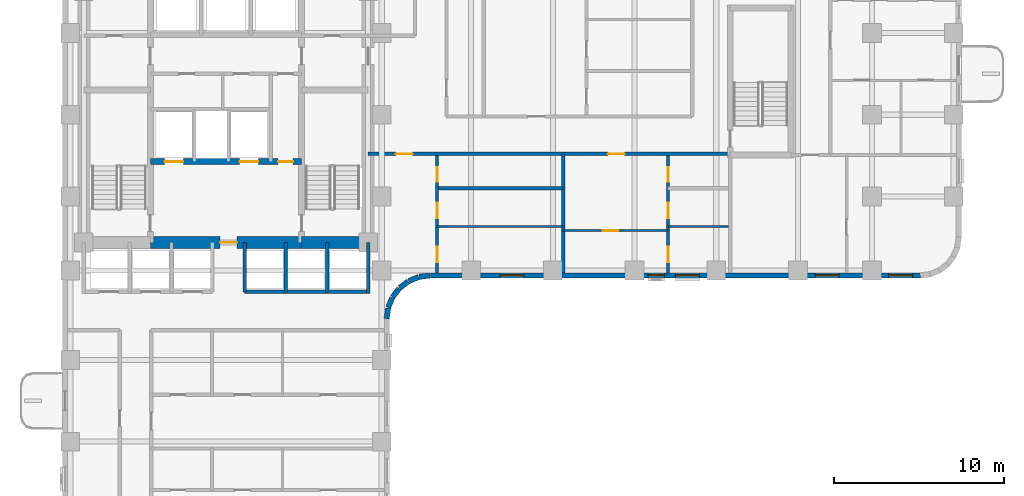
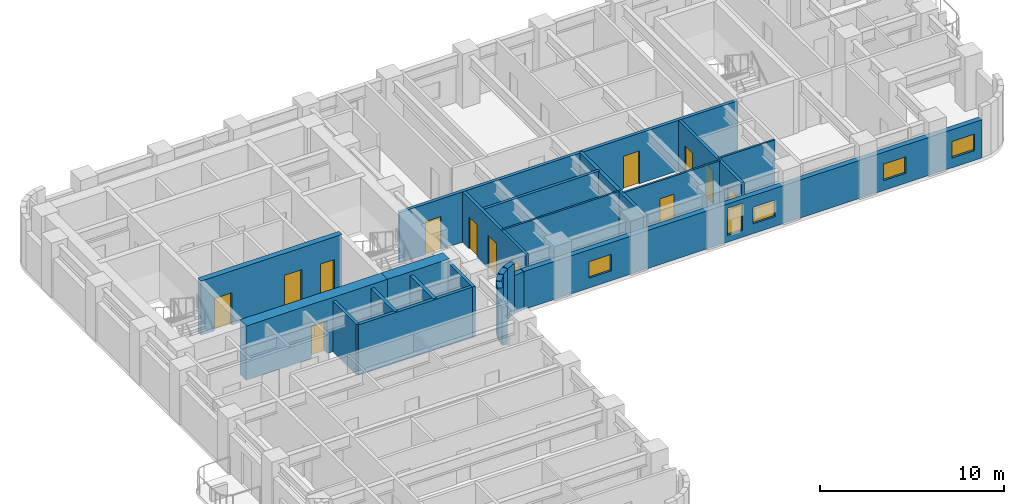
# One storey, part 4 of 10: 23 walls, 13 doors, 5 windows, 18 openings.
"""IFC4 building model written with IfcOpenShell, lengths in metres."""

from ifc_helpers import new_model, si_unit, direction, frame, frame_2d, origin, place, context, subcontext, project, spatial, rectangle, extrude, material, layer, layer_set, type_object, element, fill, save


model = new_model("IFC4")

# Units and contexts
model_context = context("Model", 3, precision=1e-05, world=origin(), true_north=direction((0.0, 1.0)))
body_context = subcontext(model_context, "Body", "Model", "MODEL_VIEW")
ifc_project = project(units=[si_unit("LENGTHUNIT", "METRE"), si_unit("AREAUNIT", "SQUARE_METRE"), si_unit("VOLUMEUNIT", "CUBIC_METRE"), si_unit("PLANEANGLEUNIT", "RADIAN"), si_unit("MASSUNIT", "GRAM", prefix="KILO")], contexts=[model_context])

# Site, building, storey
site_placement = place(None, origin())
site = spatial("IfcSite", under=ifc_project, at=site_placement, CompositionType="ELEMENT")
building_placement = place(site_placement, origin())
building = spatial("IfcBuilding", under=site, at=building_placement, Name="Orvandelia Arch Residences", CompositionType="ELEMENT")
storey_placement = place(building_placement, frame((0.0, 0.0, 68.199951171875)))
storey = spatial("IfcBuildingStorey", under=building, at=storey_placement, Name="L17", CompositionType="ELEMENT", Elevation=68.199951171875)

# Wall, openings, doors
ifc_material_1 = material(Name="Concrete C50/60", Category="concrete")
ifc_layer_1 = layer(ifc_material_1, 0.35009765625, Name="Concrete C50/60", Category="concrete")
ifc_layer_set_1 = layer_set([ifc_layer_1], Name="Concrete C50/60")
wall_type_1 = type_object("IfcWallType", Name="WL-CORE-350", PredefinedType="SHEAR", material=ifc_layer_set_1)
wall_1_placement = place(storey_placement, frame((9.9599609375, 35.64990234375, 0.0), z_axis=(0.0, 0.0, 1.0), x_axis=(1.0, 0.0, 0.0)))
wall_1 = element("IfcWall", 1, at=wall_1_placement, inside=storey, type_object=wall_type_1, Name="Core Shear Wall L17-HZ3", PredefinedType="SHEAR", context=body_context, shape_type="SweptSolid", body=[
    extrude(rectangle(XDim=8.880126953125, YDim=0.35009765625, at=frame_2d((4.43994140625, 0.0))), origin(), (0.0, 0.0, 1.0), 3.60009765625),
])
opening_1_placement = place(wall_1_placement, frame((0.840087890625, 0.0, 0.0)))
opening_1 = element("IfcOpeningElement", 2, at=opening_1_placement, cuts=wall_1, Name="Opening FLD", PredefinedType="OPENING", context=body_context, shape_type="SweptSolid", body=[
    extrude(rectangle(XDim=1.10009765625, YDim=2.14990234375, at=frame_2d((0.550048828125, 1.074951171875))), frame((0.0, 0.18505859375, 0.0), z_axis=(0.0, -1.0, 0.0), x_axis=(1.0, 0.0, 0.0)), (0.0, 0.0, 1.0), 0.3701171875),
])
opening_2_placement = place(wall_1_placement, frame((5.239990234375, 0.0, 0.0)))
opening_2 = element("IfcOpeningElement", 3, at=opening_2_placement, cuts=wall_1, Name="Opening FLD", PredefinedType="OPENING", context=body_context, shape_type="SweptSolid", body=[
    extrude(rectangle(XDim=1.10009765625, YDim=2.14990234375, at=frame_2d((0.550048828125, 1.074951171875))), frame((0.0, 0.18505859375, 0.0), z_axis=(0.0, -1.0, 0.0), x_axis=(1.0, 0.0, 0.0)), (0.0, 0.0, 1.0), 0.3701171875),
])
opening_3_placement = place(wall_1_placement, frame((7.5, 0.0, 0.0)))
opening_3 = element("IfcOpeningElement", 4, at=opening_3_placement, cuts=wall_1, Name="Opening D5", PredefinedType="OPENING", context=body_context, shape_type="SweptSolid", body=[
    extrude(rectangle(XDim=0.8798828125, YDim=2.10009765625, at=frame_2d((0.43994140625, 1.050048828125))), frame((0.0, 0.18505859375, 0.0), z_axis=(0.0, -1.0, 0.0), x_axis=(1.0, 0.0, 0.0)), (0.0, 0.0, 1.0), 0.3701171875),
])
ifc_material_2 = material(Name="Firefighting Lift Stainless Sliding Door")
door_type_1 = type_object("IfcDoorType", Name="DR-FLFT-1100", OperationType="NOTDEFINED", PredefinedType="DOOR", material=ifc_material_2)
door_1_placement = place(opening_1_placement, origin())
door_1 = element("IfcDoor", 5, at=door_1_placement, inside=storey, type_object=door_type_1, Name="Firefighting Lift Landing Door FLD-FL1-L17", OperationType="SLIDING_TO_LEFT", OverallHeight=2.14990234375, OverallWidth=1.10009765625, PredefinedType="DOOR", context=body_context, shape_type="SweptSolid", body=[
    extrude(rectangle(XDim=1.10009765625, YDim=2.14990234375, at=frame_2d((0.550048828125, 1.074951171875))), frame((0.0, 0.02490234375, 0.0), z_axis=(0.0, -1.0, 0.0), x_axis=(1.0, 0.0, 0.0)), (0.0, 0.0, 1.0), 0.050048828125),
])
fill(opening_1, door_1)
door_2_placement = place(opening_2_placement, origin())
door_2 = element("IfcDoor", 6, at=door_2_placement, inside=storey, type_object=door_type_1, Name="Firefighting Lift Landing Door FLD-FL2-L17", OperationType="SLIDING_TO_RIGHT", OverallHeight=2.14990234375, OverallWidth=1.10009765625, PredefinedType="DOOR", context=body_context, shape_type="SweptSolid", body=[
    extrude(rectangle(XDim=1.10009765625, YDim=2.14990234375, at=frame_2d((0.550048828125, 1.074951171875))), frame((0.0, 0.02490234375, 0.0), z_axis=(0.0, -1.0, 0.0), x_axis=(1.0, 0.0, 0.0)), (0.0, 0.0, 1.0), 0.050048828125),
])
fill(opening_2, door_2)
ifc_material_3 = material(Name="Painted Galvanised Steel Service Door", Category="steel")
door_type_2 = type_object("IfcDoorType", Name="DR-SRV-880", OperationType="NOTDEFINED", PredefinedType="DOOR", material=ifc_material_3)
door_3_placement = place(opening_3_placement, origin())
door_3 = element("IfcDoor", 7, at=door_3_placement, inside=storey, type_object=door_type_2, Name="Core Stairway Passage South Fire Door L17", OperationType="SINGLE_SWING_LEFT", OverallHeight=2.10009765625, OverallWidth=0.8798828125, PredefinedType="DOOR", context=body_context, shape_type="SweptSolid", body=[
    extrude(rectangle(XDim=0.8798828125, YDim=2.10009765625, at=frame_2d((0.43994140625, 1.050048828125))), frame((0.0, 0.02490234375, 0.0), z_axis=(0.0, -1.0, 0.0), x_axis=(1.0, 0.0, 0.0)), (0.0, 0.0, 1.0), 0.050048828125),
])
fill(opening_3, door_3)

# Wall, opening, door
ifc_material_4 = material(Name="Concrete C80/95", Category="concrete")
ifc_layer_2 = layer(ifc_material_4, 0.699951171875, Name="Concrete C80/95", Category="concrete")
ifc_layer_set_2 = layer_set([ifc_layer_2], Name="Concrete C80/95")
wall_type_2 = type_object("IfcWallType", Name="WL-CORE-700", PredefinedType="SHEAR", material=ifc_layer_set_2)
wall_2_placement = place(storey_placement, frame((9.9599609375, 30.89990234375, 0.0), z_axis=(0.0, 0.0, 1.0), x_axis=(1.0, 0.0, 0.0)))
wall_2 = element("IfcWall", 8, at=wall_2_placement, inside=storey, type_object=wall_type_2, Name="Core Shear Wall L17-SM", PredefinedType="SHEAR", context=body_context, shape_type="SweptSolid", body=[
    extrude(rectangle(XDim=8.880126953125, YDim=0.699951171875, at=frame_2d((4.43994140625, 0.0))), origin(), (0.0, 0.0, 1.0), 3.60009765625),
])
opening_4_placement = place(wall_2_placement, frame((4.090087890625, 0.0, 0.0)))
opening_4 = element("IfcOpeningElement", 9, at=opening_4_placement, cuts=wall_2, Name="Opening D6", PredefinedType="OPENING", context=body_context, shape_type="SweptSolid", body=[
    extrude(rectangle(XDim=1.0, YDim=2.14990234375, at=frame_2d((0.5, 1.074951171875))), frame((0.0, 0.35986328125, 0.0), z_axis=(0.0, -1.0, 0.0), x_axis=(1.0, 0.0, 0.0)), (0.0, 0.0, 1.0), 0.719970703125),
])
ifc_material_5 = material(Name="Smokeproof Painted Steel Fire Door", Category="steel")
door_type_3 = type_object("IfcDoorType", Name="DR-FD60-1000", OperationType="NOTDEFINED", PredefinedType="DOOR", material=ifc_material_5)
door_4_placement = place(opening_4_placement, origin())
door_4 = element("IfcDoor", 10, at=door_4_placement, inside=storey, type_object=door_type_3, Name="Firefighting Lobby Smokeproof Door L17", OperationType="SINGLE_SWING_LEFT", OverallHeight=2.14990234375, OverallWidth=1.0, PredefinedType="DOOR", context=body_context, shape_type="SweptSolid", body=[
    extrude(rectangle(XDim=1.0, YDim=2.14990234375, at=frame_2d((0.5, 1.074951171875))), frame((0.0, 0.02490234375, 0.0), z_axis=(0.0, -1.0, 0.0), x_axis=(1.0, 0.0, 0.0)), (0.0, 0.0, 1.0), 0.050048828125),
])
fill(opening_4, door_4)

# Wall
wall_3_placement = place(storey_placement, frame((18.840087890625, 30.89990234375, 0.0), z_axis=(0.0, 0.0, 1.0), x_axis=(1.0, 0.0, 0.0)))
element("IfcWall", 11, at=wall_3_placement, inside=storey, type_object=wall_type_2, Name="Core Shear Wall L17-SE", PredefinedType="SHEAR", context=body_context, shape_type="SweptSolid", body=[
    extrude(rectangle(XDim=3.909912109375, YDim=0.699951171875, at=frame_2d((1.955078125, 0.0))), origin(), (0.0, 0.0, 1.0), 3.60009765625),
])

# Wall, openings, doors
ifc_material_6 = material(Name="Fire-Rated Corridor Partition")
ifc_layer_3 = layer(ifc_material_6, 0.199951171875, Name="Fire-Rated Corridor Partition")
ifc_layer_set_3 = layer_set([ifc_layer_3], Name="Fire-Rated Corridor Partition")
wall_type_3 = type_object("IfcWallType", Name="WL-CORR-200", PredefinedType="PARTITIONING", material=ifc_layer_set_3)
wall_4_placement = place(storey_placement, frame((22.75, 36.10009765625, 0.0), z_axis=(0.0, 0.0, 1.0), x_axis=(1.0, 0.0, 0.0)))
wall_4 = element("IfcWall", 12, at=wall_4_placement, inside=storey, type_object=wall_type_3, Name="Interior Partition Wall WL-L17-EM-S1", PredefinedType="PARTITIONING", context=body_context, shape_type="SweptSolid", body=[
    extrude(rectangle(XDim=21.27001953125, YDim=0.199951171875, at=frame_2d((10.635009765625, 0.0))), origin(), (0.0, 0.0, 1.0), 3.35009765625),
])
opening_5_placement = place(wall_4_placement, frame((1.62548828125, 0.0, 0.0)))
opening_5 = element("IfcOpeningElement", 13, at=opening_5_placement, cuts=wall_4, Name="Opening D1", PredefinedType="OPENING", context=body_context, shape_type="SweptSolid", body=[
    extrude(rectangle(XDim=0.97998046875, YDim=2.179931640625, at=frame_2d((0.489990234375, 1.08984375))), frame((0.0, 0.10986328125, 0.0), z_axis=(0.0, -1.0, 0.0), x_axis=(1.0, 0.0, 0.0)), (0.0, 0.0, 1.0), 0.219970703125),
])
opening_6_placement = place(wall_4_placement, frame((14.08447265625, 0.0, 0.0)))
opening_6 = element("IfcOpeningElement", 14, at=opening_6_placement, cuts=wall_4, Name="Opening D1", PredefinedType="OPENING", context=body_context, shape_type="SweptSolid", body=[
    extrude(rectangle(XDim=0.97998046875, YDim=2.179931640625, at=frame_2d((0.489990234375, 1.08984375))), frame((0.0, 0.10986328125, 0.0), z_axis=(0.0, -1.0, 0.0), x_axis=(1.0, 0.0, 0.0)), (0.0, 0.0, 1.0), 0.219970703125),
])
ifc_material_7 = material(Name="Solid-Core Timber Acoustic Fire Door", Category="wood")
door_type_4 = type_object("IfcDoorType", Name="DR-ENT-980", OperationType="NOTDEFINED", PredefinedType="DOOR", material=ifc_material_7)
door_5_placement = place(opening_5_placement, origin())
door_5 = element("IfcDoor", 15, at=door_5_placement, inside=storey, type_object=door_type_4, Name="Unit L17-04 Entrance Door", OperationType="SINGLE_SWING_RIGHT", OverallHeight=2.179931640625, OverallWidth=0.97998046875, PredefinedType="DOOR", context=body_context, shape_type="SweptSolid", body=[
    extrude(rectangle(XDim=0.97998046875, YDim=2.179931640625, at=frame_2d((0.489990234375, 1.08984375))), frame((0.0, 0.02490234375, 0.0), z_axis=(0.0, -1.0, 0.0), x_axis=(1.0, 0.0, 0.0)), (0.0, 0.0, 1.0), 0.050048828125),
])
fill(opening_5, door_5)
door_6_placement = place(opening_6_placement, origin())
door_6 = element("IfcDoor", 16, at=door_6_placement, inside=storey, type_object=door_type_4, Name="Unit L17-05 Entrance Door", OperationType="SINGLE_SWING_LEFT", OverallHeight=2.179931640625, OverallWidth=0.97998046875, PredefinedType="DOOR", context=body_context, shape_type="SweptSolid", body=[
    extrude(rectangle(XDim=0.97998046875, YDim=2.179931640625, at=frame_2d((0.489990234375, 1.08984375))), frame((0.0, 0.02490234375, 0.0), z_axis=(0.0, -1.0, 0.0), x_axis=(1.0, 0.0, 0.0)), (0.0, 0.0, 1.0), 0.050048828125),
])
fill(opening_6, door_6)

# Wall
ifc_material_8 = material(Name="Concrete C40/50", Category="concrete")
ifc_layer_4 = layer(ifc_material_8, 0.199951171875, Name="Concrete C40/50", Category="concrete")
ifc_layer_set_4 = layer_set([ifc_layer_4], Name="Concrete C40/50")
wall_type_4 = type_object("IfcWallType", Name="WL-DEM-200", PredefinedType="SOLIDWALL", material=ifc_layer_set_4)
wall_5_placement = place(storey_placement, frame((34.199951171875, 29.1201171875, 0.0), z_axis=(0.0, 0.0, 1.0), x_axis=(0.0, 1.0, 0.0)))
element("IfcWall", 17, at=wall_5_placement, inside=storey, type_object=wall_type_4, Name="Interior Partition Wall WL-L17-DEM-EMS-342", PredefinedType="SOLIDWALL", context=body_context, shape_type="SweptSolid", body=[
    extrude(rectangle(XDim=6.97998046875, YDim=0.199951171875, at=frame_2d((3.489990234375, 0.0))), origin(), (0.0, 0.0, 1.0), 3.35009765625),
])

# Wall, openings, windows
ifc_material_9 = material(Name="Precast concrete C40/50", Category="concrete")
ifc_layer_5 = layer(ifc_material_9, 0.320068359375, Name="Precast concrete C40/50", Category="concrete")
ifc_layer_set_5 = layer_set([ifc_layer_5], Name="Precast concrete C40/50")
wall_type_5 = type_object("IfcWallType", Name="WL-EXT-STONE-320", PredefinedType="STANDARD", material=ifc_layer_set_5)
wall_6_placement = place(storey_placement, frame((55.199951171875, 28.9599609375, 0.0), z_axis=(0.0, 0.0, 1.0), x_axis=(-1.0, 0.0, 0.0)))
wall_6 = element("IfcWall", 18, at=wall_6_placement, inside=storey, type_object=wall_type_5, Name="Coral-Limestone Precast Facade Wall L17-021", PredefinedType="STANDARD", context=body_context, shape_type="SweptSolid", body=[
    extrude(rectangle(XDim=28.800048828125, YDim=0.320068359375, at=frame_2d((14.39990234375, 0.0))), origin(), (0.0, 0.0, 1.0), 2.530029296875),
])
opening_7_placement = place(wall_6_placement, frame((23.300048828125, 0.0, 0.64990234375)))
opening_7 = element("IfcOpeningElement", 19, at=opening_7_placement, cuts=wall_6, Name="Opening W10", PredefinedType="OPENING", context=body_context, shape_type="SweptSolid", body=[
    extrude(rectangle(XDim=1.39990234375, YDim=1.10009765625, at=frame_2d((0.699951171875, 0.550048828125))), frame((0.0, 0.169921875, 0.0), z_axis=(0.0, -1.0, 0.0), x_axis=(1.0, 0.0, 0.0)), (0.0, 0.0, 1.0), 0.340087890625),
])
opening_8_placement = place(wall_6_placement, frame((13.00048828125, 0.0, 0.64990234375)))
opening_8 = element("IfcOpeningElement", 20, at=opening_8_placement, cuts=wall_6, Name="Opening W10", PredefinedType="OPENING", context=body_context, shape_type="SweptSolid", body=[
    extrude(rectangle(XDim=1.39990234375, YDim=1.10009765625, at=frame_2d((0.699951171875, 0.550048828125))), frame((0.0, 0.169921875, 0.0), z_axis=(0.0, -1.0, 0.0), x_axis=(1.0, 0.0, 0.0)), (0.0, 0.0, 1.0), 0.340087890625),
])
opening_9_placement = place(wall_6_placement, frame((4.7900390625, 0.0, 0.64990234375)))
opening_9 = element("IfcOpeningElement", 21, at=opening_9_placement, cuts=wall_6, Name="Opening W10", PredefinedType="OPENING", context=body_context, shape_type="SweptSolid", body=[
    extrude(rectangle(XDim=1.39990234375, YDim=1.10009765625, at=frame_2d((0.699951171875, 0.550048828125))), frame((0.0, 0.169921875, 0.0), z_axis=(0.0, -1.0, 0.0), x_axis=(1.0, 0.0, 0.0)), (0.0, 0.0, 1.0), 0.340087890625),
])
opening_10_placement = place(wall_6_placement, frame((0.469970703125, 0.0, 0.64990234375)))
opening_10 = element("IfcOpeningElement", 22, at=opening_10_placement, cuts=wall_6, Name="Opening W10", PredefinedType="OPENING", context=body_context, shape_type="SweptSolid", body=[
    extrude(rectangle(XDim=1.39990234375, YDim=1.10009765625, at=frame_2d((0.699951171875, 0.550048828125))), frame((0.0, 0.169921875, 0.0), z_axis=(0.0, -1.0, 0.0), x_axis=(1.0, 0.0, 0.0)), (0.0, 0.0, 1.0), 0.340087890625),
])
opening_11_placement = place(wall_6_placement, frame((15.055419921875, 0.0, 0.449951171875)))
opening_11 = element("IfcOpeningElement", 23, at=opening_11_placement, cuts=wall_6, Name="Opening W4", PredefinedType="OPENING", context=body_context, shape_type="SweptSolid", body=[
    extrude(rectangle(XDim=0.949951171875, YDim=1.800048828125, at=frame_2d((0.47509765625, 0.89990234375))), frame((0.0, 0.169921875, 0.0), z_axis=(0.0, -1.0, 0.0), x_axis=(1.0, 0.0, 0.0)), (0.0, 0.0, 1.0), 0.340087890625),
])
ifc_material_10 = material(Name="Tempered Low-E Insulated Glazing", Category="glass")
window_type_1 = type_object("IfcWindowType", Name="WIN-CLR-1400x1100", PartitioningType="SINGLE_PANEL", PredefinedType="WINDOW", material=ifc_material_10)
window_1_placement = place(opening_7_placement, origin())
window_1 = element("IfcWindow", 24, at=window_1_placement, inside=storey, type_object=window_type_1, Name="Recessed Punched Window L17-014", OverallHeight=1.10009765625, OverallWidth=1.39990234375, PartitioningType="SINGLE_PANEL", PredefinedType="WINDOW", context=body_context, shape_type="SweptSolid", body=[
    extrude(rectangle(XDim=1.39990234375, YDim=1.10009765625, at=frame_2d((0.699951171875, 0.550048828125))), frame((0.0, 0.030029296875, 0.0), z_axis=(0.0, -1.0, 0.0), x_axis=(1.0, 0.0, 0.0)), (0.0, 0.0, 1.0), 0.06005859375),
])
fill(opening_7, window_1)
window_2_placement = place(opening_8_placement, origin())
window_2 = element("IfcWindow", 25, at=window_2_placement, inside=storey, type_object=window_type_1, Name="Recessed Punched Window L17-015", OverallHeight=1.10009765625, OverallWidth=1.39990234375, PartitioningType="SINGLE_PANEL", PredefinedType="WINDOW", context=body_context, shape_type="SweptSolid", body=[
    extrude(rectangle(XDim=1.39990234375, YDim=1.10009765625, at=frame_2d((0.699951171875, 0.550048828125))), frame((0.0, 0.030029296875, 0.0), z_axis=(0.0, -1.0, 0.0), x_axis=(1.0, 0.0, 0.0)), (0.0, 0.0, 1.0), 0.06005859375),
])
fill(opening_8, window_2)
window_3_placement = place(opening_9_placement, origin())
window_3 = element("IfcWindow", 26, at=window_3_placement, inside=storey, type_object=window_type_1, Name="Recessed Punched Window L17-016", OverallHeight=1.10009765625, OverallWidth=1.39990234375, PartitioningType="SINGLE_PANEL", PredefinedType="WINDOW", context=body_context, shape_type="SweptSolid", body=[
    extrude(rectangle(XDim=1.39990234375, YDim=1.10009765625, at=frame_2d((0.699951171875, 0.550048828125))), frame((0.0, 0.030029296875, 0.0), z_axis=(0.0, -1.0, 0.0), x_axis=(1.0, 0.0, 0.0)), (0.0, 0.0, 1.0), 0.06005859375),
])
fill(opening_9, window_3)
window_4_placement = place(opening_10_placement, origin())
window_4 = element("IfcWindow", 27, at=window_4_placement, inside=storey, type_object=window_type_1, Name="Recessed Punched Window L17-017", OverallHeight=1.10009765625, OverallWidth=1.39990234375, PartitioningType="SINGLE_PANEL", PredefinedType="WINDOW", context=body_context, shape_type="SweptSolid", body=[
    extrude(rectangle(XDim=1.39990234375, YDim=1.10009765625, at=frame_2d((0.699951171875, 0.550048828125))), frame((0.0, 0.030029296875, 0.0), z_axis=(0.0, -1.0, 0.0), x_axis=(1.0, 0.0, 0.0)), (0.0, 0.0, 1.0), 0.06005859375),
])
fill(opening_10, window_4)
window_type_2 = type_object("IfcWindowType", Name="WIN-RES-0950x1800", PartitioningType="SINGLE_PANEL", PredefinedType="WINDOW", material=ifc_material_10)
window_5_placement = place(opening_11_placement, origin())
window_5 = element("IfcWindow", 28, at=window_5_placement, inside=storey, type_object=window_type_2, Name="Recessed Punched Window L17-018", OverallHeight=1.800048828125, OverallWidth=0.949951171875, PartitioningType="SINGLE_PANEL", PredefinedType="WINDOW", context=body_context, shape_type="SweptSolid", body=[
    extrude(rectangle(XDim=0.949951171875, YDim=1.800048828125, at=frame_2d((0.47509765625, 0.89990234375))), frame((0.0, 0.030029296875, 0.0), z_axis=(0.0, -1.0, 0.0), x_axis=(1.0, 0.0, 0.0)), (0.0, 0.0, 1.0), 0.06005859375),
])
fill(opening_11, window_5)

# Walls
wall_7_placement = place(storey_placement, frame((26.379150390625, 28.95849609375, 0.0), z_axis=(0.0, 0.0, 1.0), x_axis=(-0.991447664465, -0.130504898859, 0.0)))
element("IfcWall", 29, at=wall_7_placement, inside=storey, type_object=wall_type_5, Name="Coral-Limestone Precast Facade Wall L17-022", PredefinedType="STANDARD", context=body_context, shape_type="SweptSolid", body=[
    extrude(rectangle(XDim=0.626708984375, YDim=0.320068359375, at=frame_2d((0.3134765625, 0.0))), origin(), (0.0, 0.0, 1.0), 2.530029296875),
])
wall_8_placement = place(storey_placement, frame((25.717529296875, 28.865966796875, 0.0), z_axis=(0.0, 0.0, 1.0), x_axis=(-0.923836271867, -0.382787856107, 0.0)))
element("IfcWall", 30, at=wall_8_placement, inside=storey, type_object=wall_type_5, Name="Coral-Limestone Precast Facade Wall L17-023", PredefinedType="STANDARD", context=body_context, shape_type="SweptSolid", body=[
    extrude(rectangle(XDim=0.626220703125, YDim=0.320068359375, at=frame_2d((0.31298828125, 0.0))), origin(), (0.0, 0.0, 1.0), 3.35009765625),
])
for number, where, z_axis, x_axis, name in (
    (31, (25.1025390625, 28.60546875, 0.0), (0.0, 0.0, 1.0), (-0.793405610854, -0.608693302629, 0.0), "Coral-Limestone Precast Facade Wall L17-024"),
    (32, (24.575927734375, 28.194580078125, 0.0), (0.0, 0.0, 1.0), (-0.608693302629, -0.793405610854, 0.0), "Coral-Limestone Precast Facade Wall L17-025"),
):
    element("IfcWall", number, at=place(storey_placement, frame(where, z_axis=z_axis, x_axis=x_axis)), inside=storey, type_object=wall_type_5, Name=name, PredefinedType="STANDARD", context=body_context, shape_type="SweptSolid", body=[
        extrude(rectangle(XDim=0.62646484375, YDim=0.320068359375, at=frame_2d((0.313232421875, 0.0))), origin(), (0.0, 0.0, 1.0), 3.35009765625),
    ])
wall_9_placement = place(storey_placement, frame((24.173583984375, 27.6611328125, 0.0), z_axis=(0.0, 0.0, 1.0), x_axis=(-0.382455093999, -0.923974080304, 0.0)))
element("IfcWall", 33, at=wall_9_placement, inside=storey, type_object=wall_type_5, Name="Coral-Limestone Precast Facade Wall L17-026", PredefinedType="STANDARD", context=body_context, shape_type="SweptSolid", body=[
    extrude(rectangle(XDim=0.626220703125, YDim=0.320068359375, at=frame_2d((0.31298828125, 0.0))), origin(), (0.0, 0.0, 1.0), 3.35009765625),
])
wall_10_placement = place(storey_placement, frame((23.923095703125, 27.0419921875, 0.0), z_axis=(0.0, 0.0, 1.0), x_axis=(-0.130555323746, -0.9914410257, 0.0)))
element("IfcWall", 34, at=wall_10_placement, inside=storey, type_object=wall_type_5, Name="Coral-Limestone Precast Facade Wall L17-027", PredefinedType="STANDARD", context=body_context, shape_type="SweptSolid", body=[
    extrude(rectangle(XDim=0.62646484375, YDim=0.320068359375, at=frame_2d((0.313232421875, 0.0))), origin(), (0.0, 0.0, 1.0), 2.530029296875),
])
ifc_material_11 = material(Name="Lightweight Gypsum Stud Partition")
ifc_layer_6 = layer(ifc_material_11, 0.1201171875, Name="Lightweight Gypsum Stud Partition")
ifc_layer_set_6 = layer_set([ifc_layer_6], Name="Lightweight Gypsum Stud Partition")
wall_type_6 = type_object("IfcWallType", Name="WL-PART-120", PredefinedType="PARTITIONING", material=ifc_layer_set_6)
wall_11_placement = place(storey_placement, frame((26.801025390625, 31.8359375, 0.0), z_axis=(0.0, 0.0, 1.0), x_axis=(1.0, 0.0, 0.0)))
element("IfcWall", 35, at=wall_11_placement, inside=storey, type_object=wall_type_6, Name="Interior Partition Wall WL-L17-U04-H1", PredefinedType="PARTITIONING", context=body_context, shape_type="SweptSolid", body=[
    extrude(rectangle(XDim=7.39892578125, YDim=0.1201171875, at=frame_2d((3.699462890625, 0.0))), origin(), (0.0, 0.0, 1.0), 3.35009765625),
])

# Wall, opening, door
wall_12_placement = place(storey_placement, frame((34.199951171875, 31.595947265625, 0.0), z_axis=(0.0, 0.0, 1.0), x_axis=(1.0, 0.0, 0.0)))
wall_12 = element("IfcWall", 36, at=wall_12_placement, inside=storey, type_object=wall_type_6, Name="Interior Partition Wall WL-L17-U05-DIN", PredefinedType="PARTITIONING", context=body_context, shape_type="SweptSolid", body=[
    extrude(rectangle(XDim=6.1689453125, YDim=0.1201171875, at=frame_2d((3.08447265625, 0.0))), origin(), (0.0, 0.0, 1.0), 3.35009765625),
])
opening_12_placement = place(wall_12_placement, frame((2.3349609375, 0.0, 0.0)))
opening_12 = element("IfcOpeningElement", 37, at=opening_12_placement, cuts=wall_12, Name="Opening D3", PredefinedType="OPENING", context=body_context, shape_type="SweptSolid", body=[
    extrude(rectangle(XDim=0.89990234375, YDim=2.14990234375, at=frame_2d((0.449951171875, 1.074951171875))), frame((0.0, 0.070068359375, 0.0), z_axis=(0.0, -1.0, 0.0), x_axis=(1.0, 0.0, 0.0)), (0.0, 0.0, 1.0), 0.14013671875),
])
ifc_material_12 = material(Name="Engineered Timber Flush Door", Category="wood")
door_type_5 = type_object("IfcDoorType", Name="DR-INT-900", OperationType="NOTDEFINED", PredefinedType="DOOR", material=ifc_material_12)
door_7_placement = place(opening_12_placement, origin())
door_7 = element("IfcDoor", 38, at=door_7_placement, inside=storey, type_object=door_type_5, Name="DR-L17-U05-DIN", OperationType="SINGLE_SWING_RIGHT", OverallHeight=2.14990234375, OverallWidth=0.89990234375, PredefinedType="DOOR", context=body_context, shape_type="SweptSolid", body=[
    extrude(rectangle(XDim=0.89990234375, YDim=2.14990234375, at=frame_2d((0.449951171875, 1.074951171875))), frame((0.0, 0.02490234375, 0.0), z_axis=(0.0, -1.0, 0.0), x_axis=(1.0, 0.0, 0.0)), (0.0, 0.0, 1.0), 0.050048828125),
])
fill(opening_12, door_7)

# Walls
wall_13_placement = place(storey_placement, frame((40.368896484375, 31.8359375, 0.0), z_axis=(0.0, 0.0, 1.0), x_axis=(1.0, 0.0, 0.0)))
element("IfcWall", 39, at=wall_13_placement, inside=storey, type_object=wall_type_6, Name="Interior Partition Wall WL-L17-U05-H1", PredefinedType="PARTITIONING", context=body_context, shape_type="SweptSolid", body=[
    extrude(rectangle(XDim=3.551025390625, YDim=0.1201171875, at=frame_2d((1.775390625, 0.0))), origin(), (0.0, 0.0, 1.0), 3.35009765625),
])
ifc_material_13 = material(Name="Fire-Rated Shaft Enclosure Wall")
ifc_layer_7 = layer(ifc_material_13, 0.199951171875, Name="Fire-Rated Shaft Enclosure Wall")
ifc_layer_set_7 = layer_set([ifc_layer_7], Name="Fire-Rated Shaft Enclosure Wall")
wall_type_7 = type_object("IfcWallType", Name="WL-SHAFT-200", PredefinedType="POLYGONAL", material=ifc_layer_set_7)
wall_14_placement = place(storey_placement, frame((15.5, 28.0, 0.0), z_axis=(0.0, 0.0, 1.0), x_axis=(1.0, 0.0, 0.0)))
element("IfcWall", 40, at=wall_14_placement, inside=storey, type_object=wall_type_7, Name="Interior Partition Wall WL-L17-BNKM-S", PredefinedType="POLYGONAL", context=body_context, shape_type="SweptSolid", body=[
    extrude(rectangle(XDim=7.25, YDim=0.199951171875, at=frame_2d((3.625, 0.0))), origin(), (0.0, 0.0, 1.0), 3.35009765625),
])
wall_15_placement = place(storey_placement, frame((22.75, 27.89990234375, 0.0), z_axis=(0.0, 0.0, 1.0), x_axis=(0.0, 1.0, 0.0)))
element("IfcWall", 41, at=wall_15_placement, inside=storey, type_object=wall_type_7, Name="Interior Partition Wall WL-L17-BNKM-E", PredefinedType="POLYGONAL", context=body_context, shape_type="SweptSolid", body=[
    extrude(rectangle(XDim=3.0, YDim=0.199951171875, at=frame_2d((1.5, 0.0))), origin(), (0.0, 0.0, 1.0), 3.35009765625),
])
for number, where, z_axis, x_axis, name in (
    (42, (15.5, 28.0, 0.0), (0.0, 0.0, 1.0), (0.0, 1.0, 0.0), "Interior Partition Wall WL-L17-BNKM-W"),
    (43, (17.89990234375, 28.0, 0.0), (0.0, 0.0, 1.0), (0.0, 1.0, 0.0), "Interior Partition Wall WL-L17-BNKD-1789"),
    (44, (20.35009765625, 28.0, 0.0), (0.0, 0.0, 1.0), (0.0, 1.0, 0.0), "Interior Partition Wall WL-L17-BNKD-2035"),
):
    element("IfcWall", number, at=place(storey_placement, frame(where, z_axis=z_axis, x_axis=x_axis)), inside=storey, type_object=wall_type_7, Name=name, PredefinedType="POLYGONAL", context=body_context, shape_type="SweptSolid", body=[
        extrude(rectangle(XDim=2.89990234375, YDim=0.199951171875, at=frame_2d((1.449951171875, 0.0))), origin(), (0.0, 0.0, 1.0), 3.35009765625),
    ])

# Wall, openings, doors
ifc_material_14 = material(Name="Moisture-Resistant Plumbing Wall")
ifc_layer_8 = layer(ifc_material_14, 0.179931640625, Name="Moisture-Resistant Plumbing Wall")
ifc_layer_set_8 = layer_set([ifc_layer_8], Name="Moisture-Resistant Plumbing Wall")
wall_type_8 = type_object("IfcWallType", Name="WL-WET-180", PredefinedType="PLUMBINGWALL", material=ifc_layer_set_8)
wall_16_placement = place(storey_placement, frame((26.801025390625, 29.1201171875, 0.0), z_axis=(0.0, 0.0, 1.0), x_axis=(0.0, 1.0, 0.0)))
wall_16 = element("IfcWall", 45, at=wall_16_placement, inside=storey, type_object=wall_type_8, Name="Interior Partition Wall WL-L17-U04-VT", PredefinedType="PLUMBINGWALL", context=body_context, shape_type="SweptSolid", body=[
    extrude(rectangle(XDim=6.8798828125, YDim=0.179931640625, at=frame_2d((3.43994140625, 0.0))), origin(), (0.0, 0.0, 1.0), 3.35009765625),
])
opening_13_placement = place(wall_16_placement, frame((0.61669921875, 0.0, 0.0)))
opening_13 = element("IfcOpeningElement", 46, at=opening_13_placement, cuts=wall_16, Name="Opening D3", PredefinedType="OPENING", context=body_context, shape_type="SweptSolid", body=[
    extrude(rectangle(XDim=0.89990234375, YDim=2.14990234375, at=frame_2d((0.449951171875, 1.074951171875))), frame((0.0, 0.10009765625, 0.0), z_axis=(0.0, -1.0, 0.0), x_axis=(1.0, 0.0, 0.0)), (0.0, 0.0, 1.0), 0.199951171875),
])
opening_14_placement = place(wall_16_placement, frame((3.21044921875, 0.0, 0.0)))
opening_14 = element("IfcOpeningElement", 47, at=opening_14_placement, cuts=wall_16, Name="Opening D3", PredefinedType="OPENING", context=body_context, shape_type="SweptSolid", body=[
    extrude(rectangle(XDim=0.89990234375, YDim=2.14990234375, at=frame_2d((0.449951171875, 1.074951171875))), frame((0.0, 0.10009765625, 0.0), z_axis=(0.0, -1.0, 0.0), x_axis=(1.0, 0.0, 0.0)), (0.0, 0.0, 1.0), 0.199951171875),
])
opening_15_placement = place(wall_16_placement, frame((5.331787109375, 0.0, 0.0)))
opening_15 = element("IfcOpeningElement", 48, at=opening_15_placement, cuts=wall_16, Name="Opening D4", PredefinedType="OPENING", context=body_context, shape_type="SweptSolid", body=[
    extrude(rectangle(XDim=0.860107421875, YDim=2.10009765625, at=frame_2d((0.43017578125, 1.050048828125))), frame((0.0, 0.10009765625, 0.0), z_axis=(0.0, -1.0, 0.0), x_axis=(1.0, 0.0, 0.0)), (0.0, 0.0, 1.0), 0.199951171875),
])
door_8_placement = place(opening_13_placement, origin())
door_8 = element("IfcDoor", 49, at=door_8_placement, inside=storey, type_object=door_type_5, Name="DR-L17-U04-BD1", OperationType="SINGLE_SWING_RIGHT", OverallHeight=2.14990234375, OverallWidth=0.89990234375, PredefinedType="DOOR", context=body_context, shape_type="SweptSolid", body=[
    extrude(rectangle(XDim=0.89990234375, YDim=2.14990234375, at=frame_2d((0.449951171875, 1.074951171875))), frame((0.0, 0.02490234375, 0.0), z_axis=(0.0, -1.0, 0.0), x_axis=(1.0, 0.0, 0.0)), (0.0, 0.0, 1.0), 0.050048828125),
])
fill(opening_13, door_8)
door_9_placement = place(opening_14_placement, origin())
door_9 = element("IfcDoor", 50, at=door_9_placement, inside=storey, type_object=door_type_5, Name="DR-L17-U04-KIT", OperationType="SINGLE_SWING_LEFT", OverallHeight=2.14990234375, OverallWidth=0.89990234375, PredefinedType="DOOR", context=body_context, shape_type="SweptSolid", body=[
    extrude(rectangle(XDim=0.89990234375, YDim=2.14990234375, at=frame_2d((0.449951171875, 1.074951171875))), frame((0.0, 0.02490234375, 0.0), z_axis=(0.0, -1.0, 0.0), x_axis=(1.0, 0.0, 0.0)), (0.0, 0.0, 1.0), 0.050048828125),
])
fill(opening_14, door_9)
ifc_material_15 = material(Name="Moisture-Sealed Timber Bathroom Door", Category="wood")
door_type_6 = type_object("IfcDoorType", Name="DR-WET-900", OperationType="NOTDEFINED", PredefinedType="DOOR", material=ifc_material_15)
door_10_placement = place(opening_15_placement, origin())
door_10 = element("IfcDoor", 51, at=door_10_placement, inside=storey, type_object=door_type_6, Name="DR-L17-U04-BTH", OperationType="SINGLE_SWING_RIGHT", OverallHeight=2.10009765625, OverallWidth=0.860107421875, PredefinedType="DOOR", context=body_context, shape_type="SweptSolid", body=[
    extrude(rectangle(XDim=0.860107421875, YDim=2.10009765625, at=frame_2d((0.43017578125, 1.050048828125))), frame((0.0, 0.02490234375, 0.0), z_axis=(0.0, -1.0, 0.0), x_axis=(1.0, 0.0, 0.0)), (0.0, 0.0, 1.0), 0.050048828125),
])
fill(opening_15, door_10)

# Wall
wall_17_placement = place(storey_placement, frame((26.801025390625, 34.0849609375, 0.0), z_axis=(0.0, 0.0, 1.0), x_axis=(1.0, 0.0, 0.0)))
element("IfcWall", 52, at=wall_17_placement, inside=storey, type_object=wall_type_8, Name="Interior Partition Wall WL-L17-U04-H2", PredefinedType="PLUMBINGWALL", context=body_context, shape_type="SweptSolid", body=[
    extrude(rectangle(XDim=7.39892578125, YDim=0.179931640625, at=frame_2d((3.699462890625, 0.0))), origin(), (0.0, 0.0, 1.0), 3.35009765625),
])

# Wall, openings, doors
wall_18_placement = place(storey_placement, frame((40.368896484375, 29.1201171875, 0.0), z_axis=(0.0, 0.0, 1.0), x_axis=(0.0, 1.0, 0.0)))
wall_18 = element("IfcWall", 53, at=wall_18_placement, inside=storey, type_object=wall_type_8, Name="Interior Partition Wall WL-L17-U05-VT", PredefinedType="PLUMBINGWALL", context=body_context, shape_type="SweptSolid", body=[
    extrude(rectangle(XDim=6.8798828125, YDim=0.179931640625, at=frame_2d((3.43994140625, 0.0))), origin(), (0.0, 0.0, 1.0), 3.35009765625),
])
opening_16_placement = place(wall_18_placement, frame((0.61669921875, 0.0, 0.0)))
opening_16 = element("IfcOpeningElement", 54, at=opening_16_placement, cuts=wall_18, Name="Opening D3", PredefinedType="OPENING", context=body_context, shape_type="SweptSolid", body=[
    extrude(rectangle(XDim=0.89990234375, YDim=2.14990234375, at=frame_2d((0.449951171875, 1.074951171875))), frame((0.0, 0.10009765625, 0.0), z_axis=(0.0, -1.0, 0.0), x_axis=(1.0, 0.0, 0.0)), (0.0, 0.0, 1.0), 0.199951171875),
])
opening_17_placement = place(wall_18_placement, frame((3.21044921875, 0.0, 0.0)))
opening_17 = element("IfcOpeningElement", 55, at=opening_17_placement, cuts=wall_18, Name="Opening D3", PredefinedType="OPENING", context=body_context, shape_type="SweptSolid", body=[
    extrude(rectangle(XDim=0.89990234375, YDim=2.14990234375, at=frame_2d((0.449951171875, 1.074951171875))), frame((0.0, 0.10009765625, 0.0), z_axis=(0.0, -1.0, 0.0), x_axis=(1.0, 0.0, 0.0)), (0.0, 0.0, 1.0), 0.199951171875),
])
opening_18_placement = place(wall_18_placement, frame((5.331787109375, 0.0, 0.0)))
opening_18 = element("IfcOpeningElement", 56, at=opening_18_placement, cuts=wall_18, Name="Opening D4", PredefinedType="OPENING", context=body_context, shape_type="SweptSolid", body=[
    extrude(rectangle(XDim=0.860107421875, YDim=2.10009765625, at=frame_2d((0.43017578125, 1.050048828125))), frame((0.0, 0.10009765625, 0.0), z_axis=(0.0, -1.0, 0.0), x_axis=(1.0, 0.0, 0.0)), (0.0, 0.0, 1.0), 0.199951171875),
])
door_11_placement = place(opening_16_placement, origin())
door_11 = element("IfcDoor", 57, at=door_11_placement, inside=storey, type_object=door_type_5, Name="DR-L17-U05-BD1", OperationType="SINGLE_SWING_LEFT", OverallHeight=2.14990234375, OverallWidth=0.89990234375, PredefinedType="DOOR", context=body_context, shape_type="SweptSolid", body=[
    extrude(rectangle(XDim=0.89990234375, YDim=2.14990234375, at=frame_2d((0.449951171875, 1.074951171875))), frame((0.0, 0.02490234375, 0.0), z_axis=(0.0, -1.0, 0.0), x_axis=(1.0, 0.0, 0.0)), (0.0, 0.0, 1.0), 0.050048828125),
])
fill(opening_16, door_11)
door_12_placement = place(opening_17_placement, origin())
door_12 = element("IfcDoor", 58, at=door_12_placement, inside=storey, type_object=door_type_5, Name="DR-L17-U05-KIT", OperationType="SINGLE_SWING_RIGHT", OverallHeight=2.14990234375, OverallWidth=0.89990234375, PredefinedType="DOOR", context=body_context, shape_type="SweptSolid", body=[
    extrude(rectangle(XDim=0.89990234375, YDim=2.14990234375, at=frame_2d((0.449951171875, 1.074951171875))), frame((0.0, 0.02490234375, 0.0), z_axis=(0.0, -1.0, 0.0), x_axis=(1.0, 0.0, 0.0)), (0.0, 0.0, 1.0), 0.050048828125),
])
fill(opening_17, door_12)
door_13_placement = place(opening_18_placement, origin())
door_13 = element("IfcDoor", 59, at=door_13_placement, inside=storey, type_object=door_type_6, Name="DR-L17-U05-BTH", OperationType="SINGLE_SWING_LEFT", OverallHeight=2.10009765625, OverallWidth=0.860107421875, PredefinedType="DOOR", context=body_context, shape_type="SweptSolid", body=[
    extrude(rectangle(XDim=0.860107421875, YDim=2.10009765625, at=frame_2d((0.43017578125, 1.050048828125))), frame((0.0, 0.02490234375, 0.0), z_axis=(0.0, -1.0, 0.0), x_axis=(1.0, 0.0, 0.0)), (0.0, 0.0, 1.0), 0.050048828125),
])
fill(opening_18, door_13)

save(model, "model.ifc")
